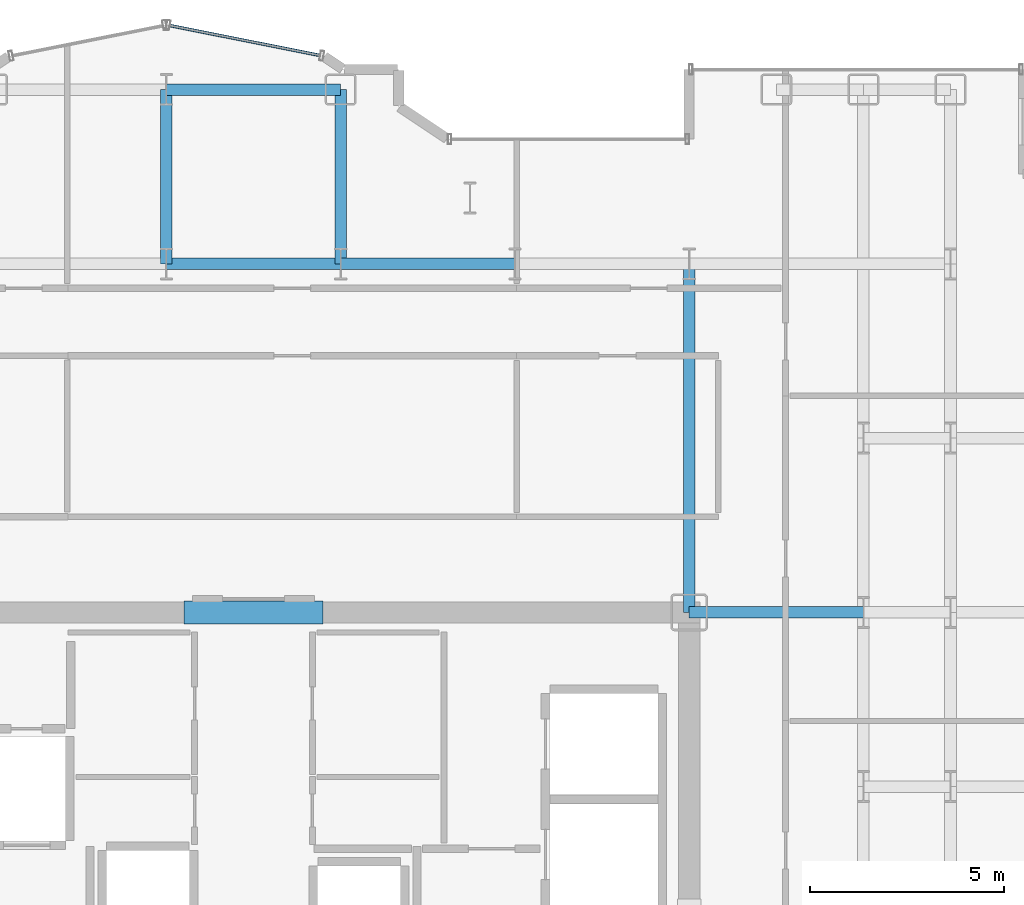
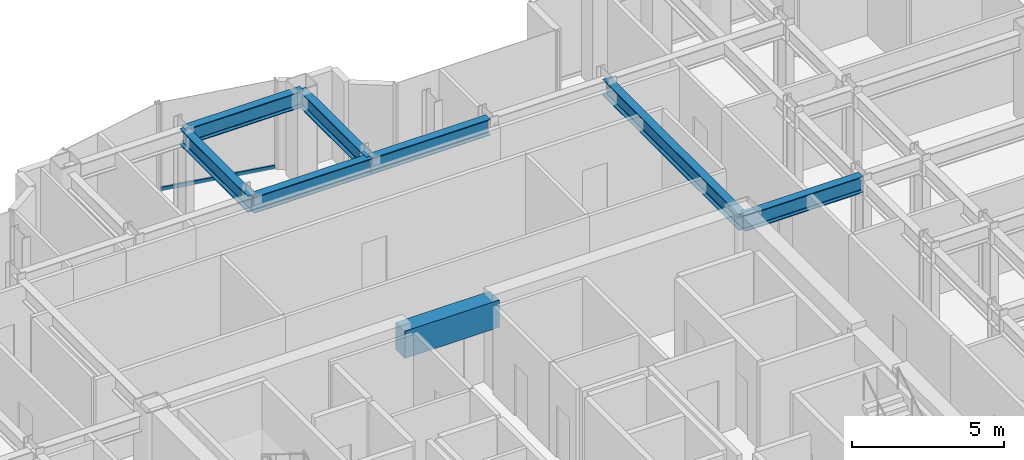
# One storey, part 12 of 23: 8 beams, 1 member, 1 element without a shape of its own.
"""IFC4 building model written with IfcOpenShell, lengths in metres."""

from ifc_helpers import new_model, si_unit, direction, frame, origin, origin_2d, place, context, subcontext, project, spatial, rectangle, hollow_rectangle, i_section, extrude, source, transform, mapped, material, layer, layer_set, material_profile, profile_set, type_object, element, aggregate, save


model = new_model("IFC4")

# Units and contexts
model_context = context("Model", 3, precision=1e-05, world=origin(), true_north=direction((0.0, 1.0)))
body_context = subcontext(model_context, "Body", "Model", "MODEL_VIEW")
ifc_project = project(units=[si_unit("LENGTHUNIT", "METRE"), si_unit("AREAUNIT", "SQUARE_METRE"), si_unit("VOLUMEUNIT", "CUBIC_METRE"), si_unit("PLANEANGLEUNIT", "RADIAN"), si_unit("MASSUNIT", "GRAM", prefix="KILO")], contexts=[model_context])

# Site, building, storey
site_placement = place(None, origin())
site = spatial("IfcSite", under=ifc_project, at=site_placement, CompositionType="ELEMENT")
building_placement = place(site_placement, origin())
building = spatial("IfcBuilding", under=site, at=building_placement, Name="Nefas-Gora Pilgrimage Tower", CompositionType="ELEMENT")
storey_placement = place(building_placement, frame((0.0, 0.0, 167.800048828125)))
storey = spatial("IfcBuildingStorey", under=building, at=storey_placement, Name="L41", CompositionType="ELEMENT", Elevation=167.800048828125)

# Beams
ifc_material_1 = material(Name="Concrete C60/75", Category="concrete")
ifc_material_profile_1 = material_profile(ifc_material_1, rectangle(XDim=0.60009765625, YDim=1.10009765625, at=origin_2d()), Name="RC 600x1100")
ifc_profile_set_1 = profile_set([ifc_material_profile_1], Name="Concrete C60/75")
beam_type_1 = type_object("IfcBeamType", Name="BM-LIN-RC1100", PredefinedType="LINTEL", material=ifc_profile_set_1)
shared_shape_1 = source(origin(), body_context, "Body", "SweptSolid", [
    extrude(rectangle(XDim=0.60009765625, YDim=1.10009765625, at=origin_2d()), origin(), (0.0, 0.0, 1.0), 3.60009765625),
])
beam_1_placement = place(storey_placement, frame((-1.800048828125, 9.0, 3.0), z_axis=(1.0, 0.0, 0.0), x_axis=(0.0, 1.0, 0.0)))
element("IfcBeam", 1, at=beam_1_placement, inside=storey, type_object=beam_type_1, Name="L41 Core Coupling Lintel Beam N", PredefinedType="LINTEL", context=body_context, shape_type="MappedRepresentation", body=[
    mapped(shared_shape_1, transform((0.0, 0.0, 0.0), x_axis=(1.0, 0.0, 0.0), y_axis=(0.0, 1.0, 0.0), z_axis=(0.0, 0.0, 1.0), scale=1.0)),
])
ifc_material_2 = material(Name="Steel S355", Category="steel")
ifc_material_profile_2 = material_profile(ifc_material_2, i_section(OverallWidth=0.300048828125, OverallDepth=0.64990234375, WebThickness=0.01611328125, FlangeThickness=0.031005859375, FilletRadius=0.027099609375, at=origin_2d()), Name="HEB 650")
ifc_profile_set_2 = profile_set([ifc_material_profile_2], Name="Steel S355")
beam_type_2 = type_object("IfcBeamType", Name="BM-GIR-HEB650", PredefinedType="BEAM", material=ifc_profile_set_2)
shared_shape_2 = source(origin(), body_context, "Body", "SweptSolid", [
    extrude(i_section(OverallWidth=0.300048828125, OverallDepth=0.64990234375, WebThickness=0.01611328125, FlangeThickness=0.031005859375, FilletRadius=0.027099609375, at=origin_2d()), origin(), (0.0, 0.0, 1.0), 9.0),
])
beam_2_placement = place(storey_placement, frame((11.25, 9.0, 3.224853515625), z_axis=(0.0, 1.0, 0.0), x_axis=(-1.0, 0.0, 0.0)))
element("IfcBeam", 2, at=beam_2_placement, inside=storey, type_object=beam_type_2, Name="L41 G-03 beam", PredefinedType="BEAM", context=body_context, shape_type="MappedRepresentation", body=[
    mapped(shared_shape_2, transform((0.0, 0.0, 0.0), x_axis=(1.0, 0.0, 0.0), y_axis=(0.0, 1.0, 0.0), z_axis=(0.0, 0.0, 1.0), scale=1.0)),
])
shared_shape_3 = source(origin(), body_context, "Body", "SweptSolid", [
    extrude(i_section(OverallWidth=0.300048828125, OverallDepth=0.64990234375, WebThickness=0.01611328125, FlangeThickness=0.031005859375, FilletRadius=0.027099609375, at=origin_2d()), origin(), (0.0, 0.0, 1.0), 4.5),
])
for number, where, z_axis, x_axis, name in (
    (3, (-2.25, 18.0, 3.224853515625), (0.0, 1.0, 0.0), (-1.0, 0.0, 0.0), "L41 G-03 beam"),
    (4, (-2.25, 18.0, 3.224853515625), (1.0, 0.0, 0.0), (0.0, 1.0, 0.0), "L41 G-03 beam"),
    (5, (-2.25, 22.5, 3.224853515625), (1.0, 0.0, 0.0), (0.0, 1.0, 0.0), "L41 G-03 beam"),
    (6, (2.25, 18.0, 3.224853515625), (0.0, 1.0, 0.0), (-1.0, 0.0, 0.0), "L41 G-03 beam"),
    (7, (2.25, 18.0, 3.224853515625), (1.0, 0.0, 0.0), (0.0, 1.0, 0.0), "L41 G-03 beam"),
    (8, (11.25, 9.0, 3.224853515625), (1.0, 0.0, 0.0), (0.0, 1.0, 0.0), "L41 G-03 beam"),
):
    element("IfcBeam", number, at=place(storey_placement, frame(where, z_axis=z_axis, x_axis=x_axis)), inside=storey, type_object=beam_type_2, Name=name, PredefinedType="BEAM", context=body_context, shape_type="MappedRepresentation", body=[
        mapped(shared_shape_3, transform((0.0, 0.0, 0.0), x_axis=(1.0, 0.0, 0.0), y_axis=(0.0, 1.0, 0.0), z_axis=(0.0, 0.0, 1.0), scale=1.0)),
    ])

# Curtain wall, member
ifc_material_3 = material(Name="Dark ceramic-fritted solar-control aluminium-glass curtain wall", Category="aluminium")
ifc_layer = layer(ifc_material_3, 0.219970703125)
ifc_layer_set = layer_set([ifc_layer], Name="Dark ceramic-fritted solar-control aluminium-glass curtain wall")
curtain_wall_type = type_object("IfcCurtainWallType", Name="CW-SYS-5", PredefinedType="NOTDEFINED", material=ifc_layer_set)
curtain_wall_placement = place(storey_placement, origin())
curtain_wall = element("IfcCurtainWall", 9, at=curtain_wall_placement, inside=storey, type_object=curtain_wall_type, Name="L41 Unitised Curtain Wall CW5", PredefinedType="NOTDEFINED")
ifc_material_4 = material(Name="Anodised architectural aluminium", Category="aluminium")
ifc_material_profile_3 = material_profile(ifc_material_4, hollow_rectangle(XDim=0.080078125, YDim=0.159912109375, WallThickness=0.00439453125, InnerFilletRadius=0.00439453125, OuterFilletRadius=0.009033203125, at=origin_2d()), Name="ALU TRANSOM 80x160")
ifc_profile_set_3 = profile_set([ifc_material_profile_3], Name="Anodised architectural aluminium")
member_type = type_object("IfcMemberType", Name="CWM-TRN-5", PredefinedType="USERDEFINED", material=ifc_profile_set_3)
shared_shape_4 = source(origin(), body_context, "Body", "SweptSolid", [
    extrude(hollow_rectangle(XDim=0.080078125, YDim=0.159912109375, WallThickness=0.00439453125, InnerFilletRadius=0.00439453125, OuterFilletRadius=0.009033203125, at=origin_2d()), origin(), (0.0, 0.0, 1.0), 3.95654296875),
])
member_placement = place(storey_placement, frame((1.718994140625, 23.3828125, 0.050048828125), z_axis=(-0.980781880918, 0.195107411605, 0.0), x_axis=(-0.195107411605, -0.980781880918, 0.0)))
member = element("IfcMember", 10, at=member_placement, type_object=member_type, Name="CW5 Spandrel Transom", ObjectType="TRANSOM", PredefinedType="USERDEFINED", context=body_context, shape_type="MappedRepresentation", body=[
    mapped(shared_shape_4, transform((0.0, 0.0, 0.0), x_axis=(1.0, 0.0, 0.0), y_axis=(0.0, 1.0, 0.0), z_axis=(0.0, 0.0, 1.0), scale=1.0)),
])
aggregate(curtain_wall, [member])

save(model, "model.ifc")
